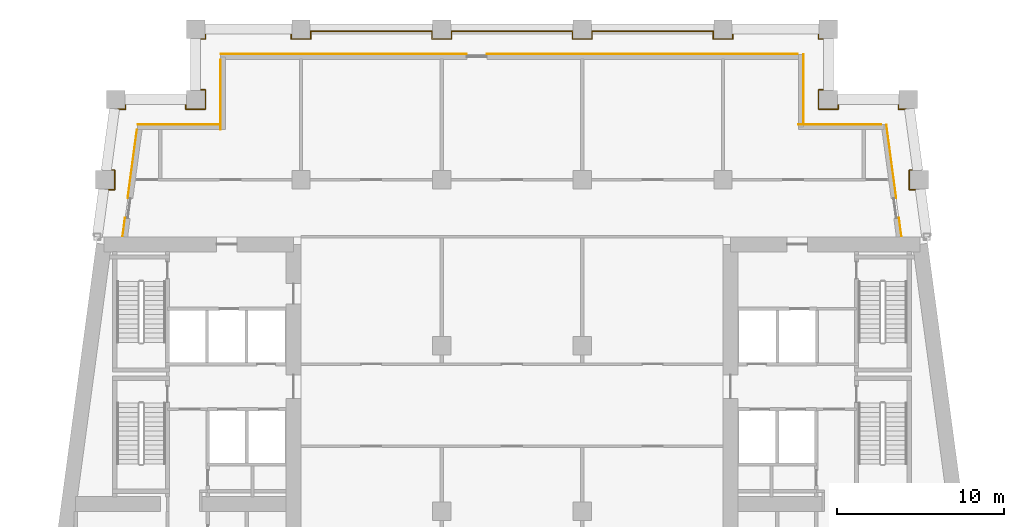
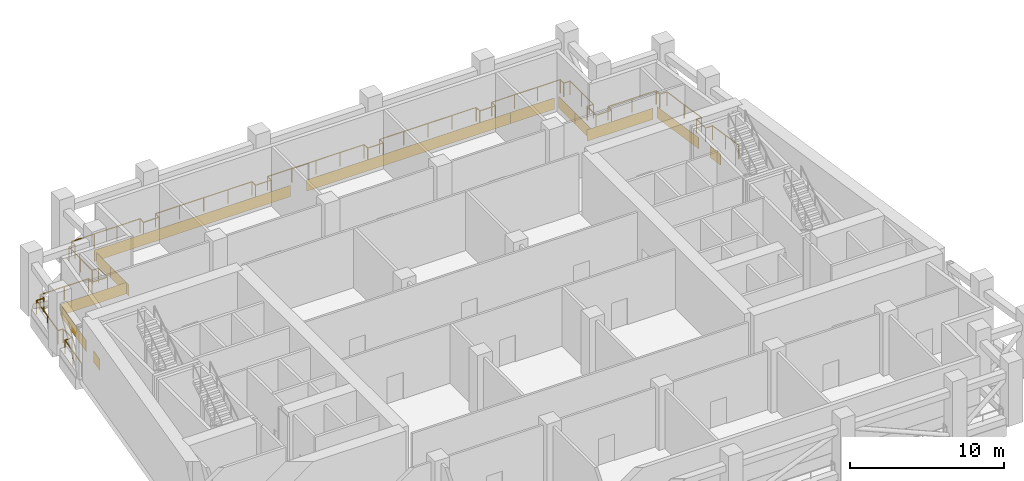
# One storey, part 12 of 12: 13 coverings, 1 railing.
"""IFC4 building model written with IfcOpenShell, lengths in metres."""

import ifcopenshell
import ifcopenshell.guid

model = None  # the IFC model being written
_history = None  # IfcOwnerHistory: only IFC2X3 demands one
_inside = {}  # id of a spatial element -> (the spatial element, [elements in it])
_under = {}  # id of a project, library or spatial element -> (it, [spatial elements below it])
_declared = {}  # id of a project -> (the project, [libraries it declares])
_typed = {}  # id of a type object -> (the type object, [elements of that type])
_made_of = {}  # id of a material, layer set ... -> (it, [elements and type objects made of it])


def new_model(schema):
    """Start an empty IFC model of exactly this schema.

    Asked for "IFC4X3", IfcOpenShell would pick the latest addendum, in which some entities
    have other attributes; the version numbers below select the first issue.
    IFC2X3 requires an IfcOwnerHistory on every rooted entity: one is made here for all.
    """
    global model, _history
    if schema == "IFC4X3":
        model = ifcopenshell.file(schema_version=(4, 3, 0, 0))
    else:
        model = ifcopenshell.file(schema=schema)
    _inside.clear()
    _under.clear()
    _declared.clear()
    _typed.clear()
    _made_of.clear()
    _history = None
    if model.schema == "IFC2X3":
        org = make("IfcOrganization", Name="unknown")
        user = make(
            "IfcPersonAndOrganization",
            ThePerson=make("IfcPerson", FamilyName="unknown"),
            TheOrganization=org,
        )
        app = make(
            "IfcApplication",
            ApplicationDeveloper=org,
            Version="unknown",
            ApplicationFullName="unknown",
            ApplicationIdentifier="unknown",
        )
        _history = make(
            "IfcOwnerHistory",
            OwningUser=user,
            OwningApplication=app,
            ChangeAction="ADDED",
            CreationDate=0,
        )
    return model


def make(cls, **values):
    """One entity of the class cls with the attributes given. An attribute that is None is left unset."""
    return model.create_entity(
        cls, **{name: value for name, value in values.items() if value is not None}
    )


def rooted(cls, **values):
    """An entity with a GlobalId (a new one), such as an element, a storey or a relation."""
    return make(cls, GlobalId=ifcopenshell.guid.new(), OwnerHistory=_history, **values)


def si_unit(unit_type, name, prefix=None):
    """IfcSIUnit, for example si_unit("LENGTHUNIT", "METRE", prefix="MILLI")."""
    return make("IfcSIUnit", UnitType=unit_type, Prefix=prefix, Name=name)


def assignment(units):
    """IfcUnitAssignment: the units of a project."""
    return None if units is None else make("IfcUnitAssignment", Units=units)


def point(xyz):
    """IfcCartesianPoint."""
    return None if xyz is None else make("IfcCartesianPoint", Coordinates=xyz)


def direction(xyz):
    """IfcDirection."""
    return None if xyz is None else make("IfcDirection", DirectionRatios=xyz)


def frame(location, z_axis=None, x_axis=None):
    """IfcAxis2Placement3D, a coordinate frame: its origin and axes. An axis left out is left unset."""
    return make(
        "IfcAxis2Placement3D",
        Location=point(location),
        Axis=direction(z_axis),
        RefDirection=direction(x_axis),
    )


def frame_2d(location, x_axis=None):
    """IfcAxis2Placement2D, a coordinate frame in the plane: its origin and x axis."""
    return make(
        "IfcAxis2Placement2D", Location=point(location), RefDirection=direction(x_axis)
    )


def origin():
    """The frame at (0, 0, 0) with its axes left unset."""
    return frame((0.0, 0.0, 0.0))


def origin_2d():
    """The frame at (0, 0) in the plane with its x axis left unset."""
    return frame_2d((0.0, 0.0))


def place(relative_to, where):
    """IfcLocalPlacement: puts the frame where relative to a parent placement (None: the world)."""
    return make(
        "IfcLocalPlacement", PlacementRelTo=relative_to, RelativePlacement=where
    )


def context(
    kind, dimensions, precision=None, world=None, true_north=None, identifier=None
):
    """IfcGeometricRepresentationContext, for example the 3D "Model" context."""
    return make(
        "IfcGeometricRepresentationContext",
        ContextIdentifier=identifier,
        ContextType=kind,
        CoordinateSpaceDimension=dimensions,
        Precision=precision,
        WorldCoordinateSystem=world,
        TrueNorth=true_north,
    )


def subcontext(parent, identifier, kind, view, scale=None):
    """IfcGeometricRepresentationSubContext, for example "Body" below "Model"."""
    return make(
        "IfcGeometricRepresentationSubContext",
        ContextIdentifier=identifier,
        ContextType=kind,
        ParentContext=parent,
        TargetScale=scale,
        TargetView=view,
    )


def project(units=None, contexts=None):
    """IfcProject with its units and contexts."""
    return rooted(
        "IfcProject",
        Name="project",
        RepresentationContexts=contexts,
        UnitsInContext=assignment(units),
    )


def spatial(cls, under=None, at=None, **own):
    """A site, building, storey or space (cls), placed at a placement, below another one or the project."""
    s = rooted(cls, ObjectPlacement=at, **own)
    if under is not None:
        _under.setdefault(under.id(), (under, []))[1].append(s)
    return s


def profile(cls, at=None, kind="AREA", **sizes):
    """A parametric profile (cls). Its sizes go by their IFC names, for example OverallWidth=200.0."""
    return make(cls, ProfileType=kind, Position=at, **sizes)


def rectangle(**sizes):
    """IfcRectangleProfileDef."""
    return profile("IfcRectangleProfileDef", **sizes)


def circle(**sizes):
    """IfcCircleProfileDef."""
    return profile("IfcCircleProfileDef", **sizes)


def extrude(swept, where, along, depth):
    """IfcExtrudedAreaSolid: the profile swept, set in the frame where, extruded along a direction by depth."""
    return make(
        "IfcExtrudedAreaSolid",
        SweptArea=swept,
        Position=where,
        ExtrudedDirection=direction(along),
        Depth=depth,
    )


def shape(context_of_items, identifier, shape_type, items):
    """IfcShapeRepresentation: the items that make up one representation, for example the "Body"."""
    return make(
        "IfcShapeRepresentation",
        ContextOfItems=context_of_items,
        RepresentationIdentifier=identifier,
        RepresentationType=shape_type,
        Items=items,
    )


def material(Name=None, Category=None):
    """IfcMaterial."""
    return make("IfcMaterial", Name=Name, Category=Category)


def layer(
    of_material, thickness, ventilated=None, Name=None, Category=None, Priority=None
):
    """IfcMaterialLayer: one layer of a wall or slab, of a material (None: an air gap)."""
    return make(
        "IfcMaterialLayer",
        Material=of_material,
        LayerThickness=thickness,
        IsVentilated=ventilated,
        Name=Name,
        Category=Category,
        Priority=Priority,
    )


def layer_set(layers, Name=None):
    """IfcMaterialLayerSet."""
    return make("IfcMaterialLayerSet", MaterialLayers=layers, LayerSetName=Name)


def made_of(thing, what):
    """Note that an element or type object is made of a material, layer set ...; save() writes the relation."""
    if what is not None:
        _made_of.setdefault(what.id(), (what, []))[1].append(thing)
    return thing


def type_object(cls, material=None, **own):
    """A type object (cls), such as IfcWallType, which elements share."""
    return made_of(rooted(cls, **own), material)


def element(
    cls,
    number,
    at=None,
    inside=None,
    cuts=None,
    type_object=None,
    material=None,
    context=None,
    identifier="Body",
    shape_type=None,
    held_by="IfcProductDefinitionShape",
    body=None,
    shapes=None,
    **own,
):
    """One element of the class cls, such as IfcWall. Its Tag is "e" and its number.

    at: its placement. inside: the storey or other place that contains it. cuts: it is an
    opening in that element (IfcRelVoidsElement). A single representation is given by context,
    identifier, shape_type and body (its items); several are given by shapes. held_by: the class
    of the entity that holds the representations. save() writes the other relations.
    """
    e = rooted(cls, Tag="e%d" % number, ObjectPlacement=at, **own)
    if body is not None:
        shapes = [shape(context, identifier, shape_type, body)]
    if shapes is not None:
        e.Representation = make(held_by, Representations=shapes)
    if inside is not None:
        _inside.setdefault(inside.id(), (inside, []))[1].append(e)
    if cuts is not None:
        rooted(
            "IfcRelVoidsElement", RelatingBuildingElement=cuts, RelatedOpeningElement=e
        )
    if type_object is not None:
        _typed.setdefault(type_object.id(), (type_object, []))[1].append(e)
    return made_of(e, material)


def aggregate(whole, parts):
    """IfcRelAggregates: a whole, such as a stair, and the parts it consists of."""
    return rooted("IfcRelAggregates", RelatingObject=whole, RelatedObjects=parts)


def save(model, path):
    """Write the relations noted so far, then the file.

    IfcRelAggregates (storeys below a building ...), IfcRelContainedInSpatialStructure (elements
    in a storey), IfcRelDefinesByType, IfcRelAssociatesMaterial and IfcRelDeclares: one each for
    every whole, place, type object, material and project.
    """
    for whole, parts in _under.values():
        aggregate(whole, parts)
    for where, things in _inside.values():
        rooted(
            "IfcRelContainedInSpatialStructure",
            RelatedElements=things,
            RelatingStructure=where,
        )
    for kind, things in _typed.values():
        rooted("IfcRelDefinesByType", RelatedObjects=things, RelatingType=kind)
    for what, things in _made_of.values():
        rooted("IfcRelAssociatesMaterial", RelatedObjects=things, RelatingMaterial=what)
    for by, libraries in _declared.values():
        rooted("IfcRelDeclares", RelatingContext=by, RelatedDefinitions=libraries)
    model.write(path)


model = new_model("IFC4")

# Units and contexts
model_context = context("Model", 3, precision=1e-05, world=origin(), true_north=direction((0.0, 1.0)))
body_context = subcontext(model_context, "Body", "Model", "MODEL_VIEW")
ifc_project = project(units=[si_unit("LENGTHUNIT", "METRE"), si_unit("AREAUNIT", "SQUARE_METRE"), si_unit("VOLUMEUNIT", "CUBIC_METRE"), si_unit("PLANEANGLEUNIT", "RADIAN"), si_unit("MASSUNIT", "GRAM", prefix="KILO")], contexts=[model_context])

# Site, building, storey
site_placement = place(None, origin())
site = spatial("IfcSite", under=ifc_project, at=site_placement, CompositionType="ELEMENT")
building_placement = place(site_placement, origin())
building = spatial("IfcBuilding", under=site, at=building_placement, Name="Candeia Pilgrim Tower and Theatre", CompositionType="ELEMENT")
storey_placement = place(building_placement, frame((0.0, 0.0, 197.199951171875)))
storey = spatial("IfcBuildingStorey", under=building, at=storey_placement, Name="L47", CompositionType="ELEMENT", Elevation=197.199951171875)

# Railing
ifc_material_1 = material(Name="Stainless steel balustrade", Category="steel")
railing_type = type_object("IfcRailingType", Name="G1 loggia guard 1100", PredefinedType="GUARDRAIL", material=ifc_material_1)
railing_placement = place(storey_placement, frame((88.758544921875, 132.449951171875, 0.0)))
element("IfcRailing", 1, at=railing_placement, inside=storey, type_object=railing_type, Name="Guard L47.2", PredefinedType="GUARDRAIL", context=body_context, shape_type="SweptSolid", body=[
    extrude(circle(Radius=0.02392578125, at=origin_2d()), frame((0.0, 0.0, 1.076171875), z_axis=(0.133382313969, 0.991064659001, 0.0), x_axis=(-0.991064659001, 0.133382313969, 0.0)), (0.0, 0.0, 1.0), 2.794921875),
    extrude(circle(Radius=0.02392578125, at=origin_2d()), frame((0.372802734375, 2.77001953125, 1.076171875), z_axis=(1.0, 0.0, 0.0), x_axis=(0.0, 1.0, 0.0)), (0.0, 0.0, 1.0), 0.537109375),
    extrude(circle(Radius=0.02392578125, at=origin_2d()), frame((0.909912109375, 2.77001953125, 1.076171875), z_axis=(0.0, 1.0, 0.0), x_axis=(-1.0, 0.0, 0.0)), (0.0, 0.0, 1.0), 1.159912109375),
    extrude(circle(Radius=0.02392578125, at=origin_2d()), frame((0.909912109375, 3.929931640625, 1.076171875), z_axis=(-1.0, 0.0, 0.0), x_axis=(0.0, -1.0, 0.0)), (0.0, 0.0, 1.0), 0.380859375),
    extrude(circle(Radius=0.02392578125, at=origin_2d()), frame((0.529052734375, 3.929931640625, 1.076171875), z_axis=(0.133404479078, 0.99106167566, 0.0), x_axis=(-0.99106167566, 0.133404479078, 0.0)), (0.0, 0.0, 1.0), 3.6728515625),
    extrude(circle(Radius=0.02392578125, at=origin_2d()), frame((1.01904296875, 7.570068359375, 1.076171875), z_axis=(1.0, 0.0, 0.0), x_axis=(0.0, 1.0, 0.0)), (0.0, 0.0, 1.0), 0.537109375),
    extrude(circle(Radius=0.02392578125, at=origin_2d()), frame((1.55615234375, 7.570068359375, 1.076171875), z_axis=(0.0, 1.0, 0.0), x_axis=(-1.0, 0.0, 0.0)), (0.0, 0.0, 1.0), 0.4599609375),
    extrude(circle(Radius=0.02392578125, at=origin_2d()), frame((1.55615234375, 8.030029296875, 1.076171875), z_axis=(1.0, 0.0, 0.0), x_axis=(0.0, 1.0, 0.0)), (0.0, 0.0, 1.0), 3.605224609375),
    extrude(circle(Radius=0.02392578125, at=origin_2d()), frame((5.161376953125, 8.030029296875, 1.076171875), z_axis=(0.0, -1.0, 0.0), x_axis=(1.0, 0.0, 0.0)), (0.0, 0.0, 1.0), 0.4599609375),
    extrude(circle(Radius=0.02392578125, at=origin_2d()), frame((5.161376953125, 7.570068359375, 1.076171875), z_axis=(1.0, 0.0, 0.0), x_axis=(0.0, 1.0, 0.0)), (0.0, 0.0, 1.0), 1.16015625),
    extrude(circle(Radius=0.02392578125, at=origin_2d()), frame((6.321533203125, 7.570068359375, 1.076171875), z_axis=(0.0, 1.0, 0.0), x_axis=(-1.0, 0.0, 0.0)), (0.0, 0.0, 1.0), 1.159912109375),
    extrude(circle(Radius=0.02392578125, at=origin_2d()), frame((6.321533203125, 8.72998046875, 1.076171875), z_axis=(-1.0, 0.0, 0.0), x_axis=(0.0, -1.0, 0.0)), (0.0, 0.0, 1.0), 0.4599609375),
    extrude(circle(Radius=0.02392578125, at=origin_2d()), frame((5.861572265625, 8.72998046875, 1.076171875), z_axis=(0.0, 1.0, 0.0), x_axis=(-1.0, 0.0, 0.0)), (0.0, 0.0, 1.0), 3.0400390625),
    extrude(circle(Radius=0.02392578125, at=origin_2d()), frame((5.861572265625, 11.77001953125, 1.076171875), z_axis=(1.0, 0.0, 0.0), x_axis=(0.0, 1.0, 0.0)), (0.0, 0.0, 1.0), 0.4599609375),
    extrude(circle(Radius=0.02392578125, at=origin_2d()), frame((6.321533203125, 11.77001953125, 1.076171875), z_axis=(0.0, 1.0, 0.0), x_axis=(-1.0, 0.0, 0.0)), (0.0, 0.0, 1.0), 0.4599609375),
    extrude(circle(Radius=0.02392578125, at=origin_2d()), frame((6.321533203125, 12.22998046875, 1.076171875), z_axis=(1.0, 0.0, 0.0), x_axis=(0.0, 1.0, 0.0)), (0.0, 0.0, 1.0), 5.139892578125),
    extrude(circle(Radius=0.02392578125, at=origin_2d()), frame((11.46142578125, 12.22998046875, 1.076171875), z_axis=(0.0, -1.0, 0.0), x_axis=(1.0, 0.0, 0.0)), (0.0, 0.0, 1.0), 0.4599609375),
    extrude(circle(Radius=0.02392578125, at=origin_2d()), frame((11.46142578125, 11.77001953125, 1.076171875), z_axis=(1.0, 0.0, 0.0), x_axis=(0.0, 1.0, 0.0)), (0.0, 0.0, 1.0), 1.159912109375),
    extrude(circle(Radius=0.02392578125, at=origin_2d()), frame((12.621337890625, 11.77001953125, 1.076171875), z_axis=(0.0, 1.0, 0.0), x_axis=(-1.0, 0.0, 0.0)), (0.0, 0.0, 1.0), 0.4599609375),
    extrude(circle(Radius=0.02392578125, at=origin_2d()), frame((12.621337890625, 12.22998046875, 1.076171875), z_axis=(1.0, 0.0, 0.0), x_axis=(0.0, 1.0, 0.0)), (0.0, 0.0, 1.0), 7.240234375),
    extrude(circle(Radius=0.02392578125, at=origin_2d()), frame((19.861572265625, 12.22998046875, 1.076171875), z_axis=(0.0, -1.0, 0.0), x_axis=(1.0, 0.0, 0.0)), (0.0, 0.0, 1.0), 0.4599609375),
    extrude(circle(Radius=0.02392578125, at=origin_2d()), frame((19.861572265625, 11.77001953125, 1.076171875), z_axis=(1.0, 0.0, 0.0), x_axis=(0.0, 1.0, 0.0)), (0.0, 0.0, 1.0), 1.159912109375),
    extrude(circle(Radius=0.02392578125, at=origin_2d()), frame((21.021484375, 11.77001953125, 1.076171875), z_axis=(0.0, 1.0, 0.0), x_axis=(-1.0, 0.0, 0.0)), (0.0, 0.0, 1.0), 0.4599609375),
    extrude(circle(Radius=0.02392578125, at=origin_2d()), frame((21.021484375, 12.22998046875, 1.076171875), z_axis=(1.0, 0.0, 0.0), x_axis=(0.0, 1.0, 0.0)), (0.0, 0.0, 1.0), 7.239990234375),
    extrude(circle(Radius=0.02392578125, at=origin_2d()), frame((28.261474609375, 12.22998046875, 1.076171875), z_axis=(0.0, -1.0, 0.0), x_axis=(1.0, 0.0, 0.0)), (0.0, 0.0, 1.0), 0.4599609375),
    extrude(circle(Radius=0.02392578125, at=origin_2d()), frame((28.261474609375, 11.77001953125, 1.076171875), z_axis=(1.0, 0.0, 0.0), x_axis=(0.0, 1.0, 0.0)), (0.0, 0.0, 1.0), 1.159912109375),
    extrude(circle(Radius=0.02392578125, at=origin_2d()), frame((29.42138671875, 11.77001953125, 1.076171875), z_axis=(0.0, 1.0, 0.0), x_axis=(-1.0, 0.0, 0.0)), (0.0, 0.0, 1.0), 0.4599609375),
    extrude(circle(Radius=0.02392578125, at=origin_2d()), frame((29.42138671875, 12.22998046875, 1.076171875), z_axis=(1.0, 0.0, 0.0), x_axis=(0.0, 1.0, 0.0)), (0.0, 0.0, 1.0), 7.239990234375),
    extrude(circle(Radius=0.02392578125, at=origin_2d()), frame((36.661376953125, 12.22998046875, 1.076171875), z_axis=(0.0, -1.0, 0.0), x_axis=(1.0, 0.0, 0.0)), (0.0, 0.0, 1.0), 0.4599609375),
    extrude(circle(Radius=0.02392578125, at=origin_2d()), frame((36.661376953125, 11.77001953125, 1.076171875), z_axis=(1.0, 0.0, 0.0), x_axis=(0.0, 1.0, 0.0)), (0.0, 0.0, 1.0), 1.16015625),
    extrude(circle(Radius=0.02392578125, at=origin_2d()), frame((37.821533203125, 11.77001953125, 1.076171875), z_axis=(0.0, 1.0, 0.0), x_axis=(-1.0, 0.0, 0.0)), (0.0, 0.0, 1.0), 0.4599609375),
    extrude(circle(Radius=0.02392578125, at=origin_2d()), frame((37.821533203125, 12.22998046875, 1.076171875), z_axis=(1.0, 0.0, 0.0), x_axis=(0.0, 1.0, 0.0)), (0.0, 0.0, 1.0), 5.139892578125),
    extrude(circle(Radius=0.02392578125, at=origin_2d()), frame((42.96142578125, 12.22998046875, 1.076171875), z_axis=(0.0, -1.0, 0.0), x_axis=(1.0, 0.0, 0.0)), (0.0, 0.0, 1.0), 0.4599609375),
    extrude(circle(Radius=0.02392578125, at=origin_2d()), frame((42.96142578125, 11.77001953125, 1.076171875), z_axis=(1.0, 0.0, 0.0), x_axis=(0.0, 1.0, 0.0)), (0.0, 0.0, 1.0), 0.4599609375),
    extrude(circle(Radius=0.02392578125, at=origin_2d()), frame((43.42138671875, 11.77001953125, 1.076171875), z_axis=(0.0, -1.0, 0.0), x_axis=(1.0, 0.0, 0.0)), (0.0, 0.0, 1.0), 3.0400390625),
    extrude(circle(Radius=0.02392578125, at=origin_2d()), frame((43.42138671875, 8.72998046875, 1.076171875), z_axis=(-1.0, 0.0, 0.0), x_axis=(0.0, -1.0, 0.0)), (0.0, 0.0, 1.0), 0.4599609375),
    extrude(circle(Radius=0.02392578125, at=origin_2d()), frame((42.96142578125, 8.72998046875, 1.076171875), z_axis=(0.0, -1.0, 0.0), x_axis=(1.0, 0.0, 0.0)), (0.0, 0.0, 1.0), 1.159912109375),
    extrude(circle(Radius=0.02392578125, at=origin_2d()), frame((42.96142578125, 7.570068359375, 1.076171875), z_axis=(1.0, 0.0, 0.0), x_axis=(0.0, 1.0, 0.0)), (0.0, 0.0, 1.0), 1.159912109375),
    extrude(circle(Radius=0.02392578125, at=origin_2d()), frame((44.121337890625, 7.570068359375, 1.076171875), z_axis=(0.0, 1.0, 0.0), x_axis=(-1.0, 0.0, 0.0)), (0.0, 0.0, 1.0), 0.4599609375),
    extrude(circle(Radius=0.02392578125, at=origin_2d()), frame((44.121337890625, 8.030029296875, 1.076171875), z_axis=(1.0, 0.0, 0.0), x_axis=(0.0, 1.0, 0.0)), (0.0, 0.0, 1.0), 3.60546875),
    extrude(circle(Radius=0.02392578125, at=origin_2d()), frame((47.726806640625, 8.030029296875, 1.076171875), z_axis=(0.0, -1.0, 0.0), x_axis=(1.0, 0.0, 0.0)), (0.0, 0.0, 1.0), 0.4599609375),
    extrude(circle(Radius=0.02392578125, at=origin_2d()), frame((47.726806640625, 7.570068359375, 1.076171875), z_axis=(1.0, 0.0, 0.0), x_axis=(0.0, 1.0, 0.0)), (0.0, 0.0, 1.0), 0.537109375),
    extrude(circle(Radius=0.02392578125, at=origin_2d()), frame((48.263916015625, 7.570068359375, 1.076171875), z_axis=(0.133404479078, -0.99106167566, 0.0), x_axis=(0.99106167566, 0.133404479078, 0.0)), (0.0, 0.0, 1.0), 3.6728515625),
    extrude(circle(Radius=0.02392578125, at=origin_2d()), frame((48.75390625, 3.929931640625, 1.076171875), z_axis=(-1.0, 0.0, 0.0), x_axis=(0.0, -1.0, 0.0)), (0.0, 0.0, 1.0), 0.380859375),
    extrude(circle(Radius=0.02392578125, at=origin_2d()), frame((48.373046875, 3.929931640625, 1.076171875), z_axis=(0.0, -1.0, 0.0), x_axis=(1.0, 0.0, 0.0)), (0.0, 0.0, 1.0), 1.159912109375),
    extrude(circle(Radius=0.02392578125, at=origin_2d()), frame((48.373046875, 2.77001953125, 1.076171875), z_axis=(1.0, 0.0, 0.0), x_axis=(0.0, 1.0, 0.0)), (0.0, 0.0, 1.0), 0.536865234375),
    extrude(circle(Radius=0.02392578125, at=origin_2d()), frame((48.909912109375, 2.77001953125, 1.076171875), z_axis=(0.133468107709, -0.99105310868, 0.0), x_axis=(0.99105310868, 0.133468107709, 0.0)), (0.0, 0.0, 1.0), 2.794921875),
    extrude(circle(Radius=0.02099609375, at=origin_2d()), origin(), (0.0, 0.0, 1.0), 1.052001953125),
    extrude(circle(Radius=0.02099609375, at=origin_2d()), frame((0.1865234375, 1.385009765625, 0.0)), (0.0, 0.0, 1.0), 1.052001953125),
    extrude(circle(Radius=0.02099609375, at=origin_2d()), frame((0.372802734375, 2.77001953125, 0.0)), (0.0, 0.0, 1.0), 1.052001953125),
    extrude(circle(Radius=0.02099609375, at=origin_2d()), frame((0.909912109375, 2.77001953125, 0.0)), (0.0, 0.0, 1.0), 1.052001953125),
    extrude(circle(Radius=0.02099609375, at=origin_2d()), frame((0.909912109375, 3.929931640625, 0.0)), (0.0, 0.0, 1.0), 1.052001953125),
    extrude(circle(Radius=0.02099609375, at=origin_2d()), frame((0.529052734375, 3.929931640625, 0.0)), (0.0, 0.0, 1.0), 1.052001953125),
    extrude(circle(Radius=0.02099609375, at=origin_2d()), frame((0.77392578125, 5.75, 0.0)), (0.0, 0.0, 1.0), 1.052001953125),
    extrude(circle(Radius=0.02099609375, at=origin_2d()), frame((1.01904296875, 7.570068359375, 0.0)), (0.0, 0.0, 1.0), 1.052001953125),
    extrude(circle(Radius=0.02099609375, at=origin_2d()), frame((1.55615234375, 7.570068359375, 0.0)), (0.0, 0.0, 1.0), 1.052001953125),
    extrude(circle(Radius=0.02099609375, at=origin_2d()), frame((1.55615234375, 8.030029296875, 0.0)), (0.0, 0.0, 1.0), 1.052001953125),
    extrude(circle(Radius=0.02099609375, at=origin_2d()), frame((3.35888671875, 8.030029296875, 0.0)), (0.0, 0.0, 1.0), 1.052001953125),
    extrude(circle(Radius=0.02099609375, at=origin_2d()), frame((5.161376953125, 8.030029296875, 0.0)), (0.0, 0.0, 1.0), 1.052001953125),
    extrude(circle(Radius=0.02099609375, at=origin_2d()), frame((5.161376953125, 7.570068359375, 0.0)), (0.0, 0.0, 1.0), 1.052001953125),
    extrude(circle(Radius=0.02099609375, at=origin_2d()), frame((6.321533203125, 7.570068359375, 0.0)), (0.0, 0.0, 1.0), 1.052001953125),
    extrude(circle(Radius=0.02099609375, at=origin_2d()), frame((6.321533203125, 8.72998046875, 0.0)), (0.0, 0.0, 1.0), 1.052001953125),
    extrude(circle(Radius=0.02099609375, at=origin_2d()), frame((5.861572265625, 8.72998046875, 0.0)), (0.0, 0.0, 1.0), 1.052001953125),
    extrude(circle(Radius=0.02099609375, at=origin_2d()), frame((5.861572265625, 10.25, 0.0)), (0.0, 0.0, 1.0), 1.052001953125),
    extrude(circle(Radius=0.02099609375, at=origin_2d()), frame((5.861572265625, 11.77001953125, 0.0)), (0.0, 0.0, 1.0), 1.052001953125),
    extrude(circle(Radius=0.02099609375, at=origin_2d()), frame((6.321533203125, 11.77001953125, 0.0)), (0.0, 0.0, 1.0), 1.052001953125),
    extrude(circle(Radius=0.02099609375, at=origin_2d()), frame((6.321533203125, 12.22998046875, 0.0)), (0.0, 0.0, 1.0), 1.052001953125),
    extrude(circle(Radius=0.02099609375, at=origin_2d()), frame((8.034912109375, 12.22998046875, 0.0)), (0.0, 0.0, 1.0), 1.052001953125),
    extrude(circle(Radius=0.02099609375, at=origin_2d()), frame((9.748046875, 12.22998046875, 0.0)), (0.0, 0.0, 1.0), 1.052001953125),
    extrude(circle(Radius=0.02099609375, at=origin_2d()), frame((11.46142578125, 12.22998046875, 0.0)), (0.0, 0.0, 1.0), 1.052001953125),
    extrude(circle(Radius=0.02099609375, at=origin_2d()), frame((11.46142578125, 11.77001953125, 0.0)), (0.0, 0.0, 1.0), 1.052001953125),
    extrude(circle(Radius=0.02099609375, at=origin_2d()), frame((12.621337890625, 11.77001953125, 0.0)), (0.0, 0.0, 1.0), 1.052001953125),
    extrude(circle(Radius=0.02099609375, at=origin_2d()), frame((12.621337890625, 12.22998046875, 0.0)), (0.0, 0.0, 1.0), 1.052001953125),
    extrude(circle(Radius=0.02099609375, at=origin_2d()), frame((14.431396484375, 12.22998046875, 0.0)), (0.0, 0.0, 1.0), 1.052001953125),
    extrude(circle(Radius=0.02099609375, at=origin_2d()), frame((16.241455078125, 12.22998046875, 0.0)), (0.0, 0.0, 1.0), 1.052001953125),
    extrude(circle(Radius=0.02099609375, at=origin_2d()), frame((18.051513671875, 12.22998046875, 0.0)), (0.0, 0.0, 1.0), 1.052001953125),
    extrude(circle(Radius=0.02099609375, at=origin_2d()), frame((19.861572265625, 12.22998046875, 0.0)), (0.0, 0.0, 1.0), 1.052001953125),
    extrude(circle(Radius=0.02099609375, at=origin_2d()), frame((19.861572265625, 11.77001953125, 0.0)), (0.0, 0.0, 1.0), 1.052001953125),
    extrude(circle(Radius=0.02099609375, at=origin_2d()), frame((21.021484375, 11.77001953125, 0.0)), (0.0, 0.0, 1.0), 1.052001953125),
    extrude(circle(Radius=0.02099609375, at=origin_2d()), frame((21.021484375, 12.22998046875, 0.0)), (0.0, 0.0, 1.0), 1.052001953125),
    extrude(circle(Radius=0.02099609375, at=origin_2d()), frame((22.83154296875, 12.22998046875, 0.0)), (0.0, 0.0, 1.0), 1.052001953125),
    extrude(circle(Radius=0.02099609375, at=origin_2d()), frame((24.6416015625, 12.22998046875, 0.0)), (0.0, 0.0, 1.0), 1.052001953125),
    extrude(circle(Radius=0.02099609375, at=origin_2d()), frame((26.451416015625, 12.22998046875, 0.0)), (0.0, 0.0, 1.0), 1.052001953125),
    extrude(circle(Radius=0.02099609375, at=origin_2d()), frame((28.261474609375, 12.22998046875, 0.0)), (0.0, 0.0, 1.0), 1.052001953125),
    extrude(circle(Radius=0.02099609375, at=origin_2d()), frame((28.261474609375, 11.77001953125, 0.0)), (0.0, 0.0, 1.0), 1.052001953125),
    extrude(circle(Radius=0.02099609375, at=origin_2d()), frame((29.42138671875, 11.77001953125, 0.0)), (0.0, 0.0, 1.0), 1.052001953125),
    extrude(circle(Radius=0.02099609375, at=origin_2d()), frame((29.42138671875, 12.22998046875, 0.0)), (0.0, 0.0, 1.0), 1.052001953125),
    extrude(circle(Radius=0.02099609375, at=origin_2d()), frame((31.2314453125, 12.22998046875, 0.0)), (0.0, 0.0, 1.0), 1.052001953125),
    extrude(circle(Radius=0.02099609375, at=origin_2d()), frame((33.04150390625, 12.22998046875, 0.0)), (0.0, 0.0, 1.0), 1.052001953125),
    extrude(circle(Radius=0.02099609375, at=origin_2d()), frame((34.851318359375, 12.22998046875, 0.0)), (0.0, 0.0, 1.0), 1.052001953125),
    extrude(circle(Radius=0.02099609375, at=origin_2d()), frame((36.661376953125, 12.22998046875, 0.0)), (0.0, 0.0, 1.0), 1.052001953125),
    extrude(circle(Radius=0.02099609375, at=origin_2d()), frame((36.661376953125, 11.77001953125, 0.0)), (0.0, 0.0, 1.0), 1.052001953125),
    extrude(circle(Radius=0.02099609375, at=origin_2d()), frame((37.821533203125, 11.77001953125, 0.0)), (0.0, 0.0, 1.0), 1.052001953125),
    extrude(circle(Radius=0.02099609375, at=origin_2d()), frame((37.821533203125, 12.22998046875, 0.0)), (0.0, 0.0, 1.0), 1.052001953125),
    extrude(circle(Radius=0.02099609375, at=origin_2d()), frame((39.534912109375, 12.22998046875, 0.0)), (0.0, 0.0, 1.0), 1.052001953125),
    extrude(circle(Radius=0.02099609375, at=origin_2d()), frame((41.248046875, 12.22998046875, 0.0)), (0.0, 0.0, 1.0), 1.052001953125),
    extrude(circle(Radius=0.02099609375, at=origin_2d()), frame((42.96142578125, 12.22998046875, 0.0)), (0.0, 0.0, 1.0), 1.052001953125),
    extrude(circle(Radius=0.02099609375, at=origin_2d()), frame((42.96142578125, 11.77001953125, 0.0)), (0.0, 0.0, 1.0), 1.052001953125),
    extrude(circle(Radius=0.02099609375, at=origin_2d()), frame((43.42138671875, 11.77001953125, 0.0)), (0.0, 0.0, 1.0), 1.052001953125),
    extrude(circle(Radius=0.02099609375, at=origin_2d()), frame((43.42138671875, 10.25, 0.0)), (0.0, 0.0, 1.0), 1.052001953125),
    extrude(circle(Radius=0.02099609375, at=origin_2d()), frame((43.42138671875, 8.72998046875, 0.0)), (0.0, 0.0, 1.0), 1.052001953125),
    extrude(circle(Radius=0.02099609375, at=origin_2d()), frame((42.96142578125, 8.72998046875, 0.0)), (0.0, 0.0, 1.0), 1.052001953125),
    extrude(circle(Radius=0.02099609375, at=origin_2d()), frame((42.96142578125, 7.570068359375, 0.0)), (0.0, 0.0, 1.0), 1.052001953125),
    extrude(circle(Radius=0.02099609375, at=origin_2d()), frame((44.121337890625, 7.570068359375, 0.0)), (0.0, 0.0, 1.0), 1.052001953125),
    extrude(circle(Radius=0.02099609375, at=origin_2d()), frame((44.121337890625, 8.030029296875, 0.0)), (0.0, 0.0, 1.0), 1.052001953125),
    extrude(circle(Radius=0.02099609375, at=origin_2d()), frame((45.924072265625, 8.030029296875, 0.0)), (0.0, 0.0, 1.0), 1.052001953125),
    extrude(circle(Radius=0.02099609375, at=origin_2d()), frame((47.726806640625, 8.030029296875, 0.0)), (0.0, 0.0, 1.0), 1.052001953125),
    extrude(circle(Radius=0.02099609375, at=origin_2d()), frame((47.726806640625, 7.570068359375, 0.0)), (0.0, 0.0, 1.0), 1.052001953125),
    extrude(circle(Radius=0.02099609375, at=origin_2d()), frame((48.263916015625, 7.570068359375, 0.0)), (0.0, 0.0, 1.0), 1.052001953125),
    extrude(circle(Radius=0.02099609375, at=origin_2d()), frame((48.5087890625, 5.75, 0.0)), (0.0, 0.0, 1.0), 1.052001953125),
    extrude(circle(Radius=0.02099609375, at=origin_2d()), frame((48.75390625, 3.929931640625, 0.0)), (0.0, 0.0, 1.0), 1.052001953125),
    extrude(circle(Radius=0.02099609375, at=origin_2d()), frame((48.373046875, 3.929931640625, 0.0)), (0.0, 0.0, 1.0), 1.052001953125),
    extrude(circle(Radius=0.02099609375, at=origin_2d()), frame((48.373046875, 2.77001953125, 0.0)), (0.0, 0.0, 1.0), 1.052001953125),
    extrude(circle(Radius=0.02099609375, at=origin_2d()), frame((48.909912109375, 2.77001953125, 0.0)), (0.0, 0.0, 1.0), 1.052001953125),
    extrude(circle(Radius=0.02099609375, at=origin_2d()), frame((49.096435546875, 1.385009765625, 0.0)), (0.0, 0.0, 1.0), 1.052001953125),
    extrude(circle(Radius=0.02099609375, at=origin_2d()), frame((49.282958984375, 0.0, 0.0)), (0.0, 0.0, 1.0), 1.052001953125),
])

# Coverings
ifc_material_2 = material(Name="Glazed ceramic tile bottle green")
ifc_layer_1 = layer(ifc_material_2, 0.02001953125)
ifc_layer_set_1 = layer_set([ifc_layer_1], Name="Glazed ceramic tile bottle green")
covering_type_1 = type_object("IfcCoveringType", Name="Glazed ceramic tile bottle green", PredefinedType="CLADDING", material=ifc_layer_set_1)
covering_1_placement = place(storey_placement, frame((136.588623046875, 132.97412109375, 0.0), z_axis=(0.0, 0.0, 1.0), x_axis=(-0.133412012145, 0.991060661622, 0.0)))
element("IfcCovering", 2, at=covering_1_placement, inside=storey, type_object=covering_type_1, Name="Tile cladding bottle green L47", PredefinedType="CLADDING", context=body_context, shape_type="SweptSolid", body=[
    extrude(rectangle(XDim=1.115234375, YDim=0.02001953125, at=origin_2d()), origin(), (0.0, 0.0, 1.0), 0.89990234375),
])
covering_2_placement = place(storey_placement, frame((136.058837890625, 136.90869140625, 0.0), z_axis=(0.0, 0.0, 1.0), x_axis=(-0.133412012145, 0.991060661622, 0.0)))
element("IfcCovering", 3, at=covering_2_placement, inside=storey, type_object=covering_type_1, Name="Tile cladding bottle green L47", PredefinedType="CLADDING", context=body_context, shape_type="SweptSolid", body=[
    extrude(rectangle(XDim=4.4248046875, YDim=0.02001953125, at=origin_2d()), origin(), (0.0, 0.0, 1.0), 0.89990234375),
])
covering_3_placement = place(storey_placement, frame((130.81005859375, 140.159912109375, 0.0), z_axis=(0.0, 0.0, 1.0), x_axis=(0.0, 1.0, 0.0)))
element("IfcCovering", 4, at=covering_3_placement, inside=storey, type_object=covering_type_1, Name="Tile cladding bottle green L47", PredefinedType="CLADDING", context=body_context, shape_type="SweptSolid", body=[
    extrude(rectangle(XDim=2.080078125, YDim=0.02001953125, at=origin_2d()), origin(), (0.0, 0.0, 1.0), 0.89990234375),
])
covering_4_placement = place(storey_placement, frame((119.550048828125, 143.31005859375, 0.0), z_axis=(0.0, 0.0, 1.0), x_axis=(-1.0, 0.0, 0.0)))
element("IfcCovering", 5, at=covering_4_placement, inside=storey, type_object=covering_type_1, Name="Tile cladding bottle green L47", PredefinedType="CLADDING", context=body_context, shape_type="SweptSolid", body=[
    extrude(rectangle(XDim=15.300048828125, YDim=0.02001953125, at=origin_2d()), origin(), (0.0, 0.0, 1.0), 0.89990234375),
])
covering_5_placement = place(storey_placement, frame((103.35009765625, 143.31005859375, 0.0), z_axis=(0.0, 0.0, 1.0), x_axis=(-1.0, 0.0, 0.0)))
element("IfcCovering", 6, at=covering_5_placement, inside=storey, type_object=covering_type_1, Name="Tile cladding bottle green L47", PredefinedType="CLADDING", context=body_context, shape_type="SweptSolid", body=[
    extrude(rectangle(XDim=14.699951171875, YDim=0.02001953125, at=origin_2d()), origin(), (0.0, 0.0, 1.0), 0.89990234375),
])
covering_6_placement = place(storey_placement, frame((95.989990234375, 140.0, 0.0), z_axis=(0.0, 0.0, 1.0), x_axis=(0.0, -1.0, 0.0)))
element("IfcCovering", 7, at=covering_6_placement, inside=storey, type_object=covering_type_1, Name="Tile cladding bottle green L47", PredefinedType="CLADDING", context=body_context, shape_type="SweptSolid", body=[
    extrude(rectangle(XDim=2.39990234375, YDim=0.02001953125, at=origin_2d()), origin(), (0.0, 0.0, 1.0), 0.89990234375),
])
covering_7_placement = place(storey_placement, frame((93.51318359375, 139.110107421875, 0.0), z_axis=(0.0, 0.0, 1.0), x_axis=(-1.0, 0.0, 0.0)))
element("IfcCovering", 8, at=covering_7_placement, inside=storey, type_object=covering_type_1, Name="Tile cladding bottle green L47", PredefinedType="CLADDING", context=body_context, shape_type="SweptSolid", body=[
    extrude(rectangle(XDim=4.933837890625, YDim=0.02001953125, at=origin_2d()), origin(), (0.0, 0.0, 1.0), 0.89990234375),
])
covering_8_placement = place(storey_placement, frame((90.720947265625, 136.759521484375, 0.0), z_axis=(0.0, 0.0, 1.0), x_axis=(-0.133412012145, -0.991060661622, 0.0)))
element("IfcCovering", 9, at=covering_8_placement, inside=storey, type_object=covering_type_1, Name="Tile cladding bottle green L47", PredefinedType="CLADDING", context=body_context, shape_type="SweptSolid", body=[
    extrude(rectangle(XDim=4.123779296875, YDim=0.02001953125, at=origin_2d()), origin(), (0.0, 0.0, 1.0), 0.89990234375),
])
covering_9_placement = place(storey_placement, frame((90.21142578125, 132.97412109375, 0.0), z_axis=(0.0, 0.0, 1.0), x_axis=(-0.133412012145, -0.991060661622, 0.0)))
element("IfcCovering", 10, at=covering_9_placement, inside=storey, type_object=covering_type_1, Name="Tile cladding bottle green L47", PredefinedType="CLADDING", context=body_context, shape_type="SweptSolid", body=[
    extrude(rectangle(XDim=1.115234375, YDim=0.02001953125, at=origin_2d()), origin(), (0.0, 0.0, 1.0), 0.89990234375),
])
ifc_material_3 = material(Name="Glazed ceramic tile rust")
ifc_layer_2 = layer(ifc_material_3, 0.02001953125)
ifc_layer_set_2 = layer_set([ifc_layer_2], Name="Glazed ceramic tile rust")
covering_type_2 = type_object("IfcCoveringType", Name="Glazed ceramic tile rust", PredefinedType="CLADDING", material=ifc_layer_set_2)
covering_10_placement = place(storey_placement, frame((132.976318359375, 139.110107421875, 0.0), z_axis=(0.0, 0.0, 1.0), x_axis=(-1.0, 0.0, 0.0)))
element("IfcCovering", 11, at=covering_10_placement, inside=storey, type_object=covering_type_2, Name="Tile cladding rust L47", PredefinedType="CLADDING", context=body_context, shape_type="SweptSolid", body=[
    extrude(rectangle(XDim=4.95263671875, YDim=0.02001953125, at=origin_2d()), origin(), (0.0, 0.0, 1.0), 0.89990234375),
])
covering_11_placement = place(storey_placement, frame((130.81005859375, 142.25, 0.0), z_axis=(0.0, 0.0, 1.0), x_axis=(0.0, 1.0, 0.0)))
element("IfcCovering", 12, at=covering_11_placement, inside=storey, type_object=covering_type_2, Name="Tile cladding rust L47", PredefinedType="CLADDING", context=body_context, shape_type="SweptSolid", body=[
    extrude(rectangle(XDim=2.10009765625, YDim=0.02001953125, at=origin_2d()), origin(), (0.0, 0.0, 1.0), 0.89990234375),
])
covering_12_placement = place(storey_placement, frame((128.840087890625, 143.31005859375, 0.0), z_axis=(0.0, 0.0, 1.0), x_axis=(-1.0, 0.0, 0.0)))
element("IfcCovering", 13, at=covering_12_placement, inside=storey, type_object=covering_type_2, Name="Tile cladding rust L47", PredefinedType="CLADDING", context=body_context, shape_type="SweptSolid", body=[
    extrude(rectangle(XDim=3.280029296875, YDim=0.02001953125, at=origin_2d()), origin(), (0.0, 0.0, 1.0), 0.89990234375),
])
covering_13_placement = place(storey_placement, frame((95.989990234375, 142.090087890625, 0.0), z_axis=(0.0, 0.0, 1.0), x_axis=(0.0, -1.0, 0.0)))
element("IfcCovering", 14, at=covering_13_placement, inside=storey, type_object=covering_type_2, Name="Tile cladding rust L47", PredefinedType="CLADDING", context=body_context, shape_type="SweptSolid", body=[
    extrude(rectangle(XDim=1.780029296875, YDim=0.02001953125, at=origin_2d()), origin(), (0.0, 0.0, 1.0), 0.89990234375),
])

save(model, "model.ifc")
